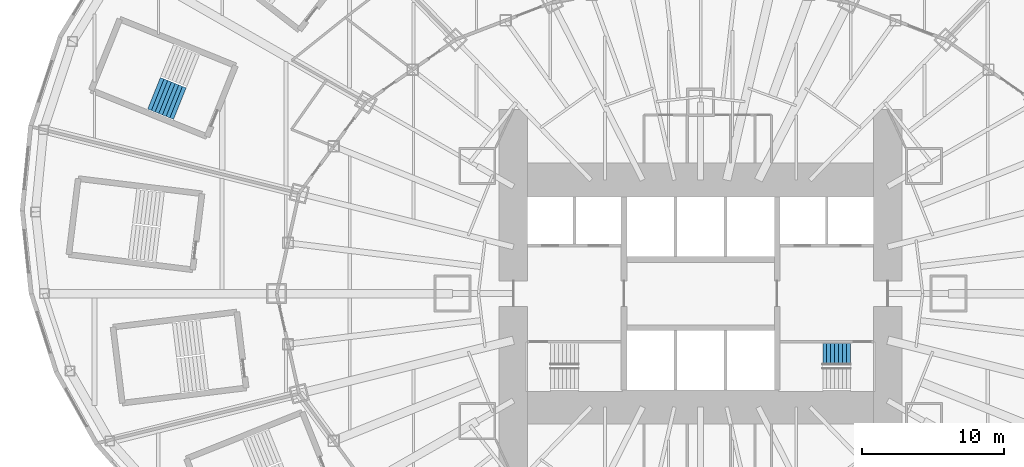
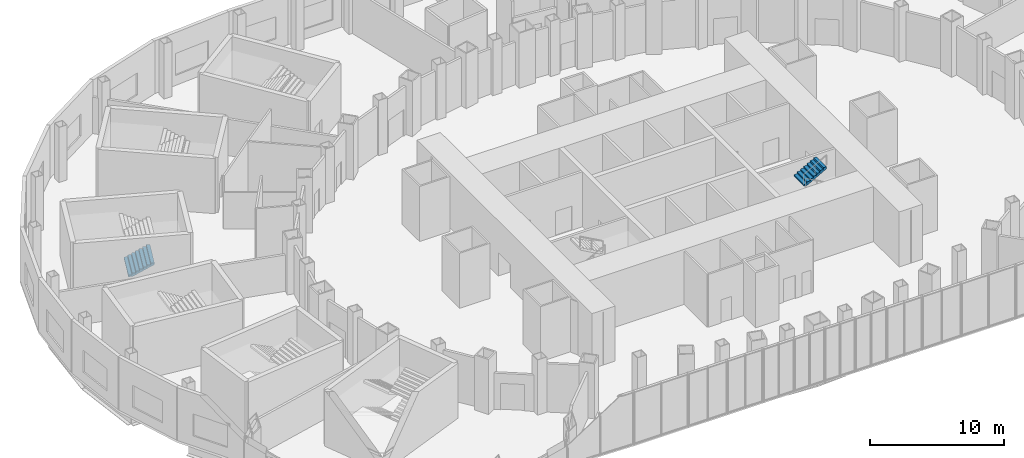
# One storey, part 33 of 73: 2 stair flights, 2 elements without a shape of their own.
"""IFC4 building model written with IfcOpenShell, lengths in metres."""

from ifc_helpers import new_model, si_unit, direction, frame, origin, place, context, subcontext, project, spatial, triangles, material, type_object, element, aggregate, save


model = new_model("IFC4")

# Units and contexts
model_context = context("Model", 3, precision=1e-05, world=origin(), true_north=direction((0.0, 1.0)))
body_context = subcontext(model_context, "Body", "Model", "MODEL_VIEW")
ifc_project = project(units=[si_unit("LENGTHUNIT", "METRE"), si_unit("AREAUNIT", "SQUARE_METRE"), si_unit("VOLUMEUNIT", "CUBIC_METRE"), si_unit("PLANEANGLEUNIT", "RADIAN"), si_unit("MASSUNIT", "GRAM", prefix="KILO")], contexts=[model_context])

# Site, building, storey
site_placement = place(None, origin())
site = spatial("IfcSite", under=ifc_project, at=site_placement, CompositionType="ELEMENT")
building_placement = place(site_placement, origin())
building = spatial("IfcBuilding", under=site, at=building_placement, Name="Lantaw Convention Tower", CompositionType="ELEMENT")
storey_placement = place(building_placement, frame((0.0, 0.0, 22.0)))
storey = spatial("IfcBuildingStorey", under=building, at=storey_placement, Name="L03", CompositionType="ELEMENT", Elevation=22.0)

# Stair, stair flight
ifc_material = material(Name="Concrete C35/45", Category="concrete")
stair_type_1 = type_object("IfcStairType", Name="Exit stair 1500 riser 156.25 in 4 flights", PredefinedType="HALF_TURN_STAIR", material=ifc_material)
stair_1_placement = place(storey_placement, origin())
stair_1 = element("IfcStair", 1, at=stair_1_placement, inside=storey, type_object=stair_type_1, Name="Exit stair S2 L03", PredefinedType="HALF_TURN_STAIR")
stair_flight_type_1 = type_object("IfcStairFlightType", Name="Stair flight 1500 riser 156.25", PredefinedType="STRAIGHT", material=ifc_material)
stair_flight_1_placement = place(storey_placement, frame((8.6201171875, -4.280029296875, 3.75), z_axis=(0.0, 0.0, 1.0), x_axis=(1.0, 0.0, 0.0)))
stair_flight_1 = element("IfcStairFlight", 2, at=stair_flight_1_placement, type_object=stair_flight_type_1, Name="S2 flight 4", NumberOfRisers=8, NumberOfTreads=7, PredefinedType="STRAIGHT", RiserHeight=0.15625, TreadLength=0.28, context=body_context, shape_type="Tessellation", body=[
    triangles([(0.0, 0.75, 0.0), (0.0, 0.75, 0.15625), (0.28, 0.75, 0.0), (0.28, 0.75, 0.15625), (0.28, 0.75, 0.3125), (0.3076200632058044, 0.75, 0.0), (0.3076200632058044, 0.75, 0.3125), (0.56, 0.75, 0.14083701830033238), (0.56, 0.75, 0.3125), (0.56, 0.75, 0.46875), (0.8400000000000001, 0.75, 0.29708701830033235), (0.8400000000000001, 0.75, 0.46875), (0.8400000000000001, 0.75, 0.625), (1.12, 0.75, 0.45333701830033235), (1.12, 0.75, 0.625), (1.12, 0.75, 0.78125), (1.4000000000000001, 0.75, 0.6095870183003324), (1.4000000000000001, 0.75, 0.78125), (1.4000000000000001, 0.75, 0.9375), (1.6800000000000002, 0.75, 0.7658370183003324), (1.6800000000000002, 0.75, 0.9375), (1.6800000000000002, 0.75, 1.09375), (1.9600000000000002, 0.75, 0.9220870183003324), (1.9600000000000002, 0.75, 1.09375), (0.0, -0.75, 0.0), (0.0, -0.75, 0.15625), (0.28, -0.75, 0.0), (0.28, -0.75, 0.15625), (0.28, -0.75, 0.3125), (0.3076200632058044, -0.75, 0.0), (0.3076200632058044, -0.75, 0.3125), (0.56, -0.75, 0.14083701830033238), (0.56, -0.75, 0.3125), (0.56, -0.75, 0.46875), (0.8400000000000001, -0.75, 0.29708701830033235), (0.8400000000000001, -0.75, 0.46875), (0.8400000000000001, -0.75, 0.625), (1.12, -0.75, 0.45333701830033235), (1.12, -0.75, 0.625), (1.12, -0.75, 0.78125), (1.4000000000000001, -0.75, 0.6095870183003324), (1.4000000000000001, -0.75, 0.78125), (1.4000000000000001, -0.75, 0.9375), (1.6800000000000002, -0.75, 0.7658370183003324), (1.6800000000000002, -0.75, 0.9375), (1.6800000000000002, -0.75, 1.09375), (1.9600000000000002, -0.75, 0.9220870183003324), (1.9600000000000002, -0.75, 1.09375), (0.0, 0.15000000000000002, 0.15625), (0.0, 0.15000000000000002, 0.0), (0.0, 0.0, 0.15625), (0.0, 0.0, 0.0), (0.0, -0.15000000000000002, 0.15625), (0.0, -0.15000000000000002, 0.0), (0.28, 0.15000000000000002, 0.3125), (0.28, 0.15000000000000002, 0.15625), (0.28, 0.0, 0.3125), (0.28, 0.0, 0.15625), (0.28, -0.15000000000000002, 0.3125), (0.28, -0.15000000000000002, 0.15625), (0.56, 0.15000000000000002, 0.46875), (0.56, 0.15000000000000002, 0.3125), (0.56, 0.0, 0.46875), (0.56, 0.0, 0.3125), (0.56, -0.15000000000000002, 0.46875), (0.56, -0.15000000000000002, 0.3125), (0.8400000000000001, 0.15000000000000002, 0.625), (0.8400000000000001, 0.15000000000000002, 0.46875), (0.8400000000000001, 0.0, 0.625), (0.8400000000000001, 0.0, 0.46875), (0.8400000000000001, -0.15000000000000002, 0.625), (0.8400000000000001, -0.15000000000000002, 0.46875), (1.12, 0.15000000000000002, 0.78125), (1.12, 0.15000000000000002, 0.625), (1.12, 0.0, 0.78125), (1.12, 0.0, 0.625), (1.12, -0.15000000000000002, 0.78125), (1.12, -0.15000000000000002, 0.625), (1.4000000000000001, 0.15000000000000002, 0.9375), (1.4000000000000001, 0.15000000000000002, 0.78125), (1.4000000000000001, 0.0, 0.9375), (1.4000000000000001, 0.0, 0.78125), (1.4000000000000001, -0.15000000000000002, 0.9375), (1.4000000000000001, -0.15000000000000002, 0.78125), (1.6800000000000002, 0.15000000000000002, 1.09375), (1.6800000000000002, 0.15000000000000002, 0.9375), (1.6800000000000002, 0.0, 1.09375), (1.6800000000000002, 0.0, 0.9375), (1.6800000000000002, -0.15000000000000002, 1.09375), (1.6800000000000002, -0.15000000000000002, 0.9375), (0.3076200632058044, 0.15000000000000002, 0.3125), (0.3076200632058044, 0.0, 0.3125), (0.3076200632058044, -0.15000000000000002, 0.3125), (1.9600000000000002, 0.15000000000000002, 1.09375), (1.9600000000000002, 0.0, 1.09375), (1.9600000000000002, -0.15000000000000002, 1.09375), (1.9600000000000002, 0.15000000000000002, 0.9220870183003324), (1.9600000000000002, 0.0, 0.9220870183003324), (1.9600000000000002, -0.15000000000000002, 0.9220870183003324), (1.6800000000000002, 0.15000000000000002, 0.7658370183003324), (1.6800000000000002, 0.0, 0.7658370183003324), (1.6800000000000002, -0.15000000000000002, 0.7658370183003324), (1.4000000000000001, 0.15000000000000002, 0.6095870183003324), (1.4000000000000001, 0.0, 0.6095870183003324), (1.4000000000000001, -0.15000000000000002, 0.6095870183003324), (1.12, 0.15000000000000002, 0.45333701830033235), (1.12, 0.0, 0.45333701830033235), (1.12, -0.15000000000000002, 0.45333701830033235), (0.8400000000000001, 0.15000000000000002, 0.29708701830033235), (0.8400000000000001, 0.0, 0.29708701830033235), (0.8400000000000001, -0.15000000000000002, 0.29708701830033235), (0.56, 0.15000000000000002, 0.14083701830033238), (0.56, 0.0, 0.14083701830033238), (0.56, -0.15000000000000002, 0.14083701830033238), (0.3076200632058044, 0.15000000000000002, 0.0), (0.3076200632058044, 0.0, 0.0), (0.3076200632058044, -0.15000000000000002, 0.0), (0.28, 0.15000000000000002, 0.0), (0.28, 0.0, 0.0), (0.28, -0.15000000000000002, 0.0)], [[1, 4, 3], [1, 2, 4], [3, 4, 6], [4, 7, 6], [4, 5, 7], [6, 9, 8], [6, 7, 9], [8, 9, 11], [9, 12, 11], [9, 10, 12], [11, 12, 14], [12, 15, 14], [12, 13, 15], [14, 15, 17], [15, 18, 17], [15, 16, 18], [17, 18, 20], [18, 21, 20], [18, 19, 21], [20, 21, 23], [21, 24, 23], [21, 22, 24], [25, 27, 28], [25, 28, 26], [27, 30, 28], [28, 30, 31], [28, 31, 29], [30, 32, 33], [30, 33, 31], [32, 35, 33], [33, 35, 36], [33, 36, 34], [35, 38, 36], [36, 38, 39], [36, 39, 37], [38, 41, 39], [39, 41, 42], [39, 42, 40], [41, 44, 42], [42, 44, 45], [42, 45, 43], [44, 47, 45], [45, 47, 48], [45, 48, 46], [1, 49, 2], [1, 50, 49], [50, 51, 49], [50, 52, 51], [52, 53, 51], [52, 54, 53], [54, 26, 53], [54, 25, 26], [4, 55, 5], [4, 56, 55], [56, 57, 55], [56, 58, 57], [58, 59, 57], [58, 60, 59], [60, 29, 59], [60, 28, 29], [9, 61, 10], [9, 62, 61], [62, 63, 61], [62, 64, 63], [64, 65, 63], [64, 66, 65], [66, 34, 65], [66, 33, 34], [12, 67, 13], [12, 68, 67], [68, 69, 67], [68, 70, 69], [70, 71, 69], [70, 72, 71], [72, 37, 71], [72, 36, 37], [15, 73, 16], [15, 74, 73], [74, 75, 73], [74, 76, 75], [76, 77, 75], [76, 78, 77], [78, 40, 77], [78, 39, 40], [18, 79, 19], [18, 80, 79], [80, 81, 79], [80, 82, 81], [82, 83, 81], [82, 84, 83], [84, 43, 83], [84, 42, 43], [21, 85, 22], [21, 86, 85], [86, 87, 85], [86, 88, 87], [88, 89, 87], [88, 90, 89], [90, 46, 89], [90, 45, 46], [2, 56, 4], [2, 49, 56], [49, 58, 56], [49, 51, 58], [51, 60, 58], [51, 53, 60], [53, 28, 60], [53, 26, 28], [5, 91, 7], [5, 55, 91], [55, 92, 91], [55, 57, 92], [57, 93, 92], [57, 59, 93], [59, 31, 93], [59, 29, 31], [7, 62, 9], [7, 91, 62], [91, 64, 62], [91, 92, 64], [92, 66, 64], [92, 93, 66], [93, 33, 66], [93, 31, 33], [10, 68, 12], [10, 61, 68], [61, 70, 68], [61, 63, 70], [63, 72, 70], [63, 65, 72], [65, 36, 72], [65, 34, 36], [13, 74, 15], [13, 67, 74], [67, 76, 74], [67, 69, 76], [69, 78, 76], [69, 71, 78], [71, 39, 78], [71, 37, 39], [16, 80, 18], [16, 73, 80], [73, 82, 80], [73, 75, 82], [75, 84, 82], [75, 77, 84], [77, 42, 84], [77, 40, 42], [19, 86, 21], [19, 79, 86], [79, 88, 86], [79, 81, 88], [81, 90, 88], [81, 83, 90], [83, 45, 90], [83, 43, 45], [22, 94, 24], [22, 85, 94], [85, 95, 94], [85, 87, 95], [87, 96, 95], [87, 89, 96], [89, 48, 96], [89, 46, 48], [24, 97, 23], [24, 94, 97], [94, 98, 97], [94, 95, 98], [95, 99, 98], [95, 96, 99], [96, 47, 99], [96, 48, 47], [23, 100, 20], [23, 97, 100], [97, 101, 100], [97, 98, 101], [98, 102, 101], [98, 99, 102], [99, 44, 102], [99, 47, 44], [20, 103, 17], [20, 100, 103], [100, 104, 103], [100, 101, 104], [101, 105, 104], [101, 102, 105], [102, 41, 105], [102, 44, 41], [17, 106, 14], [17, 103, 106], [103, 107, 106], [103, 104, 107], [104, 108, 107], [104, 105, 108], [105, 38, 108], [105, 41, 38], [14, 109, 11], [14, 106, 109], [106, 110, 109], [106, 107, 110], [107, 111, 110], [107, 108, 111], [108, 35, 111], [108, 38, 35], [11, 112, 8], [11, 109, 112], [109, 113, 112], [109, 110, 113], [110, 114, 113], [110, 111, 114], [111, 32, 114], [111, 35, 32], [8, 115, 6], [8, 112, 115], [112, 116, 115], [112, 113, 116], [113, 117, 116], [113, 114, 117], [114, 30, 117], [114, 32, 30], [6, 118, 3], [6, 115, 118], [115, 119, 118], [115, 116, 119], [116, 120, 119], [116, 117, 120], [117, 27, 120], [117, 30, 27], [3, 50, 1], [3, 118, 50], [118, 52, 50], [118, 119, 52], [119, 54, 52], [119, 120, 54], [120, 25, 54], [120, 27, 25]], closed=True),
])
aggregate(stair_1, [stair_flight_1])

stair_type_2 = type_object("IfcStairType", Name="Exit stair 2400 riser 156.25 in 4 flights", PredefinedType="HALF_TURN_STAIR", material=ifc_material)
stair_2_placement = place(storey_placement, origin())
stair_2 = element("IfcStair", 3, at=stair_2_placement, inside=storey, type_object=stair_type_2, Name="Podium exit stair P8 L03", PredefinedType="HALF_TURN_STAIR")
stair_flight_type_2 = type_object("IfcStairFlightType", Name="Stair flight 2400 riser 156.25", PredefinedType="STRAIGHT", material=ifc_material)
stair_flight_2_placement = place(storey_placement, frame((-38.5498046875, 14.12841796875, 1.25), z_axis=(0.0, 0.0, 1.0), x_axis=(0.928015168305, -0.372542410198, 0.0)))
stair_flight_2 = element("IfcStairFlight", 4, at=stair_flight_2_placement, type_object=stair_flight_type_2, Name="P8 flight 2", NumberOfRisers=8, NumberOfTreads=7, PredefinedType="STRAIGHT", RiserHeight=0.15625, TreadLength=0.28, context=body_context, shape_type="Tessellation", body=[
    triangles([(0.0, 1.199951171875, 0.0), (0.0, 1.199951171875, 0.15625), (0.28, 1.199951171875, 0.0), (0.28, 1.199951171875, 0.15625), (0.28, 1.199951171875, 0.3125), (0.3076200632058044, 1.199951171875, 0.0), (0.3076200632058044, 1.199951171875, 0.3125), (0.56, 1.199951171875, 0.14083701830033238), (0.56, 1.199951171875, 0.3125), (0.56, 1.199951171875, 0.46875), (0.8400000000000001, 1.199951171875, 0.29708701830033235), (0.8400000000000001, 1.199951171875, 0.46875), (0.8400000000000001, 1.199951171875, 0.625), (1.12, 1.199951171875, 0.45333701830033235), (1.12, 1.199951171875, 0.625), (1.12, 1.199951171875, 0.78125), (1.4000000000000001, 1.199951171875, 0.6095870183003324), (1.4000000000000001, 1.199951171875, 0.78125), (1.4000000000000001, 1.199951171875, 0.9375), (1.6800000000000002, 1.199951171875, 0.7658370183003324), (1.6800000000000002, 1.199951171875, 0.9375), (1.6800000000000002, 1.199951171875, 1.09375), (1.9600000000000002, 1.199951171875, 0.9220870183003324), (1.9600000000000002, 1.199951171875, 1.09375), (0.0, -1.199951171875, 0.0), (0.0, -1.199951171875, 0.15625), (0.28, -1.199951171875, 0.0), (0.28, -1.199951171875, 0.15625), (0.28, -1.199951171875, 0.3125), (0.3076200632058044, -1.199951171875, 0.0), (0.3076200632058044, -1.199951171875, 0.3125), (0.56, -1.199951171875, 0.14083701830033238), (0.56, -1.199951171875, 0.3125), (0.56, -1.199951171875, 0.46875), (0.8400000000000001, -1.199951171875, 0.29708701830033235), (0.8400000000000001, -1.199951171875, 0.46875), (0.8400000000000001, -1.199951171875, 0.625), (1.12, -1.199951171875, 0.45333701830033235), (1.12, -1.199951171875, 0.625), (1.12, -1.199951171875, 0.78125), (1.4000000000000001, -1.199951171875, 0.6095870183003324), (1.4000000000000001, -1.199951171875, 0.78125), (1.4000000000000001, -1.199951171875, 0.9375), (1.6800000000000002, -1.199951171875, 0.7658370183003324), (1.6800000000000002, -1.199951171875, 0.9375), (1.6800000000000002, -1.199951171875, 1.09375), (1.9600000000000002, -1.199951171875, 0.9220870183003324), (1.9600000000000002, -1.199951171875, 1.09375), (0.0, 0.239990234375, 0.15625), (0.0, 0.239990234375, 0.0), (0.0, 0.1919921875, 0.15625), (0.0, 0.1919921875, 0.0), (0.0, 0.143994140625, 0.15625), (0.0, 0.143994140625, 0.0), (0.0, 0.09599609375, 0.15625), (0.0, 0.09599609375, 0.0), (0.0, 0.047998046875, 0.15625), (0.0, 0.047998046875, 0.0), (0.0, 0.0, 0.15625), (0.0, 0.0, 0.0), (0.0, -0.047998046875, 0.15625), (0.0, -0.047998046875, 0.0), (0.0, -0.09599609375, 0.15625), (0.0, -0.09599609375, 0.0), (0.0, -0.143994140625, 0.15625), (0.0, -0.143994140625, 0.0), (0.0, -0.1919921875, 0.15625), (0.0, -0.1919921875, 0.0), (0.0, -0.239990234375, 0.15625), (0.0, -0.239990234375, 0.0), (0.28, 0.239990234375, 0.3125), (0.28, 0.239990234375, 0.15625), (0.28, 0.1919921875, 0.3125), (0.28, 0.1919921875, 0.15625), (0.28, 0.143994140625, 0.3125), (0.28, 0.143994140625, 0.15625), (0.28, 0.09599609375, 0.3125), (0.28, 0.09599609375, 0.15625), (0.28, 0.047998046875, 0.3125), (0.28, 0.047998046875, 0.15625), (0.28, 0.0, 0.3125), (0.28, 0.0, 0.15625), (0.28, -0.047998046875, 0.3125), (0.28, -0.047998046875, 0.15625), (0.28, -0.09599609375, 0.3125), (0.28, -0.09599609375, 0.15625), (0.28, -0.143994140625, 0.3125), (0.28, -0.143994140625, 0.15625), (0.28, -0.1919921875, 0.3125), (0.28, -0.1919921875, 0.15625), (0.28, -0.239990234375, 0.3125), (0.28, -0.239990234375, 0.15625), (0.56, 0.239990234375, 0.46875), (0.56, 0.239990234375, 0.3125), (0.56, 0.1919921875, 0.46875), (0.56, 0.1919921875, 0.3125), (0.56, 0.143994140625, 0.46875), (0.56, 0.143994140625, 0.3125), (0.56, 0.09599609375, 0.46875), (0.56, 0.09599609375, 0.3125), (0.56, 0.047998046875, 0.46875), (0.56, 0.047998046875, 0.3125), (0.56, 0.0, 0.46875), (0.56, 0.0, 0.3125), (0.56, -0.047998046875, 0.46875), (0.56, -0.047998046875, 0.3125), (0.56, -0.09599609375, 0.46875), (0.56, -0.09599609375, 0.3125), (0.56, -0.143994140625, 0.46875), (0.56, -0.143994140625, 0.3125), (0.56, -0.1919921875, 0.46875), (0.56, -0.1919921875, 0.3125), (0.56, -0.239990234375, 0.46875), (0.56, -0.239990234375, 0.3125), (0.8400000000000001, 0.239990234375, 0.625), (0.8400000000000001, 0.239990234375, 0.46875), (0.8400000000000001, 0.1919921875, 0.625), (0.8400000000000001, 0.1919921875, 0.46875), (0.8400000000000001, 0.143994140625, 0.625), (0.8400000000000001, 0.143994140625, 0.46875), (0.8400000000000001, 0.09599609375, 0.625), (0.8400000000000001, 0.09599609375, 0.46875), (0.8400000000000001, 0.047998046875, 0.625), (0.8400000000000001, 0.047998046875, 0.46875), (0.8400000000000001, 0.0, 0.625), (0.8400000000000001, 0.0, 0.46875), (0.8400000000000001, -0.047998046875, 0.625), (0.8400000000000001, -0.047998046875, 0.46875), (0.8400000000000001, -0.09599609375, 0.625), (0.8400000000000001, -0.09599609375, 0.46875), (0.8400000000000001, -0.143994140625, 0.625), (0.8400000000000001, -0.143994140625, 0.46875), (0.8400000000000001, -0.1919921875, 0.625), (0.8400000000000001, -0.1919921875, 0.46875), (0.8400000000000001, -0.239990234375, 0.625), (0.8400000000000001, -0.239990234375, 0.46875), (1.12, 0.239990234375, 0.78125), (1.12, 0.239990234375, 0.625), (1.12, 0.1919921875, 0.78125), (1.12, 0.1919921875, 0.625), (1.12, 0.143994140625, 0.78125), (1.12, 0.143994140625, 0.625), (1.12, 0.09599609375, 0.78125), (1.12, 0.09599609375, 0.625), (1.12, 0.047998046875, 0.78125), (1.12, 0.047998046875, 0.625), (1.12, 0.0, 0.78125), (1.12, 0.0, 0.625), (1.12, -0.047998046875, 0.78125), (1.12, -0.047998046875, 0.625), (1.12, -0.09599609375, 0.78125), (1.12, -0.09599609375, 0.625), (1.12, -0.143994140625, 0.78125), (1.12, -0.143994140625, 0.625), (1.12, -0.1919921875, 0.78125), (1.12, -0.1919921875, 0.625), (1.12, -0.239990234375, 0.78125), (1.12, -0.239990234375, 0.625), (1.4000000000000001, 0.239990234375, 0.9375), (1.4000000000000001, 0.239990234375, 0.78125), (1.4000000000000001, 0.1919921875, 0.9375), (1.4000000000000001, 0.1919921875, 0.78125), (1.4000000000000001, 0.143994140625, 0.9375), (1.4000000000000001, 0.143994140625, 0.78125), (1.4000000000000001, 0.09599609375, 0.9375), (1.4000000000000001, 0.09599609375, 0.78125), (1.4000000000000001, 0.047998046875, 0.9375), (1.4000000000000001, 0.047998046875, 0.78125), (1.4000000000000001, 0.0, 0.9375), (1.4000000000000001, 0.0, 0.78125), (1.4000000000000001, -0.047998046875, 0.9375), (1.4000000000000001, -0.047998046875, 0.78125), (1.4000000000000001, -0.09599609375, 0.9375), (1.4000000000000001, -0.09599609375, 0.78125), (1.4000000000000001, -0.143994140625, 0.9375), (1.4000000000000001, -0.143994140625, 0.78125), (1.4000000000000001, -0.1919921875, 0.9375), (1.4000000000000001, -0.1919921875, 0.78125), (1.4000000000000001, -0.239990234375, 0.9375), (1.4000000000000001, -0.239990234375, 0.78125), (1.6800000000000002, 0.239990234375, 1.09375), (1.6800000000000002, 0.239990234375, 0.9375), (1.6800000000000002, 0.1919921875, 1.09375), (1.6800000000000002, 0.1919921875, 0.9375), (1.6800000000000002, 0.143994140625, 1.09375), (1.6800000000000002, 0.143994140625, 0.9375), (1.6800000000000002, 0.09599609375, 1.09375), (1.6800000000000002, 0.09599609375, 0.9375), (1.6800000000000002, 0.047998046875, 1.09375), (1.6800000000000002, 0.047998046875, 0.9375), (1.6800000000000002, 0.0, 1.09375), (1.6800000000000002, 0.0, 0.9375), (1.6800000000000002, -0.047998046875, 1.09375), (1.6800000000000002, -0.047998046875, 0.9375), (1.6800000000000002, -0.09599609375, 1.09375), (1.6800000000000002, -0.09599609375, 0.9375), (1.6800000000000002, -0.143994140625, 1.09375), (1.6800000000000002, -0.143994140625, 0.9375), (1.6800000000000002, -0.1919921875, 1.09375), (1.6800000000000002, -0.1919921875, 0.9375), (1.6800000000000002, -0.239990234375, 1.09375), (1.6800000000000002, -0.239990234375, 0.9375), (0.3076200632058044, 0.239990234375, 0.3125), (0.3076200632058044, 0.1919921875, 0.3125), (0.3076200632058044, 0.143994140625, 0.3125), (0.3076200632058044, 0.09599609375, 0.3125), (0.3076200632058044, 0.047998046875, 0.3125), (0.3076200632058044, 0.0, 0.3125), (0.3076200632058044, -0.047998046875, 0.3125), (0.3076200632058044, -0.09599609375, 0.3125), (0.3076200632058044, -0.143994140625, 0.3125), (0.3076200632058044, -0.1919921875, 0.3125), (0.3076200632058044, -0.239990234375, 0.3125), (1.9600000000000002, 0.239990234375, 1.09375), (1.9600000000000002, 0.1919921875, 1.09375), (1.9600000000000002, 0.143994140625, 1.09375), (1.9600000000000002, 0.09599609375, 1.09375), (1.9600000000000002, 0.047998046875, 1.09375), (1.9600000000000002, 0.0, 1.09375), (1.9600000000000002, -0.047998046875, 1.09375), (1.9600000000000002, -0.09599609375, 1.09375), (1.9600000000000002, -0.143994140625, 1.09375), (1.9600000000000002, -0.1919921875, 1.09375), (1.9600000000000002, -0.239990234375, 1.09375), (1.9600000000000002, 0.239990234375, 0.9220870183003324), (1.9600000000000002, 0.1919921875, 0.9220870183003324), (1.9600000000000002, 0.143994140625, 0.9220870183003324), (1.9600000000000002, 0.09599609375, 0.9220870183003324), (1.9600000000000002, 0.047998046875, 0.9220870183003324), (1.9600000000000002, 0.0, 0.9220870183003324), (1.9600000000000002, -0.047998046875, 0.9220870183003324), (1.9600000000000002, -0.09599609375, 0.9220870183003324), (1.9600000000000002, -0.143994140625, 0.9220870183003324), (1.9600000000000002, -0.1919921875, 0.9220870183003324), (1.9600000000000002, -0.239990234375, 0.9220870183003324), (1.6800000000000002, 0.239990234375, 0.7658370183003324), (1.6800000000000002, 0.1919921875, 0.7658370183003324), (1.6800000000000002, 0.143994140625, 0.7658370183003324), (1.6800000000000002, 0.09599609375, 0.7658370183003324), (1.6800000000000002, 0.047998046875, 0.7658370183003324), (1.6800000000000002, 0.0, 0.7658370183003324), (1.6800000000000002, -0.047998046875, 0.7658370183003324), (1.6800000000000002, -0.09599609375, 0.7658370183003324), (1.6800000000000002, -0.143994140625, 0.7658370183003324), (1.6800000000000002, -0.1919921875, 0.7658370183003324), (1.6800000000000002, -0.239990234375, 0.7658370183003324), (1.4000000000000001, 0.239990234375, 0.6095870183003324), (1.4000000000000001, 0.1919921875, 0.6095870183003324), (1.4000000000000001, 0.143994140625, 0.6095870183003324), (1.4000000000000001, 0.09599609375, 0.6095870183003324), (1.4000000000000001, 0.047998046875, 0.6095870183003324), (1.4000000000000001, 0.0, 0.6095870183003324), (1.4000000000000001, -0.047998046875, 0.6095870183003324), (1.4000000000000001, -0.09599609375, 0.6095870183003324), (1.4000000000000001, -0.143994140625, 0.6095870183003324), (1.4000000000000001, -0.1919921875, 0.6095870183003324), (1.4000000000000001, -0.239990234375, 0.6095870183003324), (1.12, 0.239990234375, 0.45333701830033235), (1.12, 0.1919921875, 0.45333701830033235), (1.12, 0.143994140625, 0.45333701830033235), (1.12, 0.09599609375, 0.45333701830033235), (1.12, 0.047998046875, 0.45333701830033235), (1.12, 0.0, 0.45333701830033235), (1.12, -0.047998046875, 0.45333701830033235), (1.12, -0.09599609375, 0.45333701830033235), (1.12, -0.143994140625, 0.45333701830033235), (1.12, -0.1919921875, 0.45333701830033235), (1.12, -0.239990234375, 0.45333701830033235), (0.8400000000000001, 0.239990234375, 0.29708701830033235), (0.8400000000000001, 0.1919921875, 0.29708701830033235), (0.8400000000000001, 0.143994140625, 0.29708701830033235), (0.8400000000000001, 0.09599609375, 0.29708701830033235), (0.8400000000000001, 0.047998046875, 0.29708701830033235), (0.8400000000000001, 0.0, 0.29708701830033235), (0.8400000000000001, -0.047998046875, 0.29708701830033235), (0.8400000000000001, -0.09599609375, 0.29708701830033235), (0.8400000000000001, -0.143994140625, 0.29708701830033235), (0.8400000000000001, -0.1919921875, 0.29708701830033235), (0.8400000000000001, -0.239990234375, 0.29708701830033235), (0.56, 0.239990234375, 0.14083701830033238), (0.56, 0.1919921875, 0.14083701830033238), (0.56, 0.143994140625, 0.14083701830033238), (0.56, 0.09599609375, 0.14083701830033238), (0.56, 0.047998046875, 0.14083701830033238), (0.56, 0.0, 0.14083701830033238), (0.56, -0.047998046875, 0.14083701830033238), (0.56, -0.09599609375, 0.14083701830033238), (0.56, -0.143994140625, 0.14083701830033238), (0.56, -0.1919921875, 0.14083701830033238), (0.56, -0.239990234375, 0.14083701830033238), (0.3076200632058044, 0.239990234375, 0.0), (0.3076200632058044, 0.1919921875, 0.0), (0.3076200632058044, 0.143994140625, 0.0), (0.3076200632058044, 0.09599609375, 0.0), (0.3076200632058044, 0.047998046875, 0.0), (0.3076200632058044, 0.0, 0.0), (0.3076200632058044, -0.047998046875, 0.0), (0.3076200632058044, -0.09599609375, 0.0), (0.3076200632058044, -0.143994140625, 0.0), (0.3076200632058044, -0.1919921875, 0.0), (0.3076200632058044, -0.239990234375, 0.0), (0.28, 0.239990234375, 0.0), (0.28, 0.1919921875, 0.0), (0.28, 0.143994140625, 0.0), (0.28, 0.09599609375, 0.0), (0.28, 0.047998046875, 0.0), (0.28, 0.0, 0.0), (0.28, -0.047998046875, 0.0), (0.28, -0.09599609375, 0.0), (0.28, -0.143994140625, 0.0), (0.28, -0.1919921875, 0.0), (0.28, -0.239990234375, 0.0)], [[1, 4, 3], [1, 2, 4], [3, 4, 6], [4, 7, 6], [4, 5, 7], [6, 9, 8], [6, 7, 9], [8, 9, 11], [9, 12, 11], [9, 10, 12], [11, 12, 14], [12, 15, 14], [12, 13, 15], [14, 15, 17], [15, 18, 17], [15, 16, 18], [17, 18, 20], [18, 21, 20], [18, 19, 21], [20, 21, 23], [21, 24, 23], [21, 22, 24], [25, 27, 28], [25, 28, 26], [27, 30, 28], [28, 30, 31], [28, 31, 29], [30, 32, 33], [30, 33, 31], [32, 35, 33], [33, 35, 36], [33, 36, 34], [35, 38, 36], [36, 38, 39], [36, 39, 37], [38, 41, 39], [39, 41, 42], [39, 42, 40], [41, 44, 42], [42, 44, 45], [42, 45, 43], [44, 47, 45], [45, 47, 48], [45, 48, 46], [1, 49, 2], [1, 50, 49], [50, 51, 49], [50, 52, 51], [52, 53, 51], [52, 54, 53], [54, 55, 53], [54, 56, 55], [56, 57, 55], [56, 58, 57], [58, 59, 57], [58, 60, 59], [60, 61, 59], [60, 62, 61], [62, 63, 61], [62, 64, 63], [64, 65, 63], [64, 66, 65], [66, 67, 65], [66, 68, 67], [68, 69, 67], [68, 70, 69], [70, 26, 69], [70, 25, 26], [4, 71, 5], [4, 72, 71], [72, 73, 71], [72, 74, 73], [74, 75, 73], [74, 76, 75], [76, 77, 75], [76, 78, 77], [78, 79, 77], [78, 80, 79], [80, 81, 79], [80, 82, 81], [82, 83, 81], [82, 84, 83], [84, 85, 83], [84, 86, 85], [86, 87, 85], [86, 88, 87], [88, 89, 87], [88, 90, 89], [90, 91, 89], [90, 92, 91], [92, 29, 91], [92, 28, 29], [9, 93, 10], [9, 94, 93], [94, 95, 93], [94, 96, 95], [96, 97, 95], [96, 98, 97], [98, 99, 97], [98, 100, 99], [100, 101, 99], [100, 102, 101], [102, 103, 101], [102, 104, 103], [104, 105, 103], [104, 106, 105], [106, 107, 105], [106, 108, 107], [108, 109, 107], [108, 110, 109], [110, 111, 109], [110, 112, 111], [112, 113, 111], [112, 114, 113], [114, 34, 113], [114, 33, 34], [12, 115, 13], [12, 116, 115], [116, 117, 115], [116, 118, 117], [118, 119, 117], [118, 120, 119], [120, 121, 119], [120, 122, 121], [122, 123, 121], [122, 124, 123], [124, 125, 123], [124, 126, 125], [126, 127, 125], [126, 128, 127], [128, 129, 127], [128, 130, 129], [130, 131, 129], [130, 132, 131], [132, 133, 131], [132, 134, 133], [134, 135, 133], [134, 136, 135], [136, 37, 135], [136, 36, 37], [15, 137, 16], [15, 138, 137], [138, 139, 137], [138, 140, 139], [140, 141, 139], [140, 142, 141], [142, 143, 141], [142, 144, 143], [144, 145, 143], [144, 146, 145], [146, 147, 145], [146, 148, 147], [148, 149, 147], [148, 150, 149], [150, 151, 149], [150, 152, 151], [152, 153, 151], [152, 154, 153], [154, 155, 153], [154, 156, 155], [156, 157, 155], [156, 158, 157], [158, 40, 157], [158, 39, 40], [18, 159, 19], [18, 160, 159], [160, 161, 159], [160, 162, 161], [162, 163, 161], [162, 164, 163], [164, 165, 163], [164, 166, 165], [166, 167, 165], [166, 168, 167], [168, 169, 167], [168, 170, 169], [170, 171, 169], [170, 172, 171], [172, 173, 171], [172, 174, 173], [174, 175, 173], [174, 176, 175], [176, 177, 175], [176, 178, 177], [178, 179, 177], [178, 180, 179], [180, 43, 179], [180, 42, 43], [21, 181, 22], [21, 182, 181], [182, 183, 181], [182, 184, 183], [184, 185, 183], [184, 186, 185], [186, 187, 185], [186, 188, 187], [188, 189, 187], [188, 190, 189], [190, 191, 189], [190, 192, 191], [192, 193, 191], [192, 194, 193], [194, 195, 193], [194, 196, 195], [196, 197, 195], [196, 198, 197], [198, 199, 197], [198, 200, 199], [200, 201, 199], [200, 202, 201], [202, 46, 201], [202, 45, 46], [2, 72, 4], [2, 49, 72], [49, 74, 72], [49, 51, 74], [51, 76, 74], [51, 53, 76], [53, 78, 76], [53, 55, 78], [55, 80, 78], [55, 57, 80], [57, 82, 80], [57, 59, 82], [59, 84, 82], [59, 61, 84], [61, 86, 84], [61, 63, 86], [63, 88, 86], [63, 65, 88], [65, 90, 88], [65, 67, 90], [67, 92, 90], [67, 69, 92], [69, 28, 92], [69, 26, 28], [5, 203, 7], [5, 71, 203], [71, 204, 203], [71, 73, 204], [73, 205, 204], [73, 75, 205], [75, 206, 205], [75, 77, 206], [77, 207, 206], [77, 79, 207], [79, 208, 207], [79, 81, 208], [81, 209, 208], [81, 83, 209], [83, 210, 209], [83, 85, 210], [85, 211, 210], [85, 87, 211], [87, 212, 211], [87, 89, 212], [89, 213, 212], [89, 91, 213], [91, 31, 213], [91, 29, 31], [7, 94, 9], [7, 203, 94], [203, 96, 94], [203, 204, 96], [204, 98, 96], [204, 205, 98], [205, 100, 98], [205, 206, 100], [206, 102, 100], [206, 207, 102], [207, 104, 102], [207, 208, 104], [208, 106, 104], [208, 209, 106], [209, 108, 106], [209, 210, 108], [210, 110, 108], [210, 211, 110], [211, 112, 110], [211, 212, 112], [212, 114, 112], [212, 213, 114], [213, 33, 114], [213, 31, 33], [10, 116, 12], [10, 93, 116], [93, 118, 116], [93, 95, 118], [95, 120, 118], [95, 97, 120], [97, 122, 120], [97, 99, 122], [99, 124, 122], [99, 101, 124], [101, 126, 124], [101, 103, 126], [103, 128, 126], [103, 105, 128], [105, 130, 128], [105, 107, 130], [107, 132, 130], [107, 109, 132], [109, 134, 132], [109, 111, 134], [111, 136, 134], [111, 113, 136], [113, 36, 136], [113, 34, 36], [13, 138, 15], [13, 115, 138], [115, 140, 138], [115, 117, 140], [117, 142, 140], [117, 119, 142], [119, 144, 142], [119, 121, 144], [121, 146, 144], [121, 123, 146], [123, 148, 146], [123, 125, 148], [125, 150, 148], [125, 127, 150], [127, 152, 150], [127, 129, 152], [129, 154, 152], [129, 131, 154], [131, 156, 154], [131, 133, 156], [133, 158, 156], [133, 135, 158], [135, 39, 158], [135, 37, 39], [16, 160, 18], [16, 137, 160], [137, 162, 160], [137, 139, 162], [139, 164, 162], [139, 141, 164], [141, 166, 164], [141, 143, 166], [143, 168, 166], [143, 145, 168], [145, 170, 168], [145, 147, 170], [147, 172, 170], [147, 149, 172], [149, 174, 172], [149, 151, 174], [151, 176, 174], [151, 153, 176], [153, 178, 176], [153, 155, 178], [155, 180, 178], [155, 157, 180], [157, 42, 180], [157, 40, 42], [19, 182, 21], [19, 159, 182], [159, 184, 182], [159, 161, 184], [161, 186, 184], [161, 163, 186], [163, 188, 186], [163, 165, 188], [165, 190, 188], [165, 167, 190], [167, 192, 190], [167, 169, 192], [169, 194, 192], [169, 171, 194], [171, 196, 194], [171, 173, 196], [173, 198, 196], [173, 175, 198], [175, 200, 198], [175, 177, 200], [177, 202, 200], [177, 179, 202], [179, 45, 202], [179, 43, 45], [22, 214, 24], [22, 181, 214], [181, 215, 214], [181, 183, 215], [183, 216, 215], [183, 185, 216], [185, 217, 216], [185, 187, 217], [187, 218, 217], [187, 189, 218], [189, 219, 218], [189, 191, 219], [191, 220, 219], [191, 193, 220], [193, 221, 220], [193, 195, 221], [195, 222, 221], [195, 197, 222], [197, 223, 222], [197, 199, 223], [199, 224, 223], [199, 201, 224], [201, 48, 224], [201, 46, 48], [24, 225, 23], [24, 214, 225], [214, 226, 225], [214, 215, 226], [215, 227, 226], [215, 216, 227], [216, 228, 227], [216, 217, 228], [217, 229, 228], [217, 218, 229], [218, 230, 229], [218, 219, 230], [219, 231, 230], [219, 220, 231], [220, 232, 231], [220, 221, 232], [221, 233, 232], [221, 222, 233], [222, 234, 233], [222, 223, 234], [223, 235, 234], [223, 224, 235], [224, 47, 235], [224, 48, 47], [23, 236, 20], [23, 225, 236], [225, 237, 236], [225, 226, 237], [226, 238, 237], [226, 227, 238], [227, 239, 238], [227, 228, 239], [228, 240, 239], [228, 229, 240], [229, 241, 240], [229, 230, 241], [230, 242, 241], [230, 231, 242], [231, 243, 242], [231, 232, 243], [232, 244, 243], [232, 233, 244], [233, 245, 244], [233, 234, 245], [234, 246, 245], [234, 235, 246], [235, 44, 246], [235, 47, 44], [20, 247, 17], [20, 236, 247], [236, 248, 247], [236, 237, 248], [237, 249, 248], [237, 238, 249], [238, 250, 249], [238, 239, 250], [239, 251, 250], [239, 240, 251], [240, 252, 251], [240, 241, 252], [241, 253, 252], [241, 242, 253], [242, 254, 253], [242, 243, 254], [243, 255, 254], [243, 244, 255], [244, 256, 255], [244, 245, 256], [245, 257, 256], [245, 246, 257], [246, 41, 257], [246, 44, 41], [17, 258, 14], [17, 247, 258], [247, 259, 258], [247, 248, 259], [248, 260, 259], [248, 249, 260], [249, 261, 260], [249, 250, 261], [250, 262, 261], [250, 251, 262], [251, 263, 262], [251, 252, 263], [252, 264, 263], [252, 253, 264], [253, 265, 264], [253, 254, 265], [254, 266, 265], [254, 255, 266], [255, 267, 266], [255, 256, 267], [256, 268, 267], [256, 257, 268], [257, 38, 268], [257, 41, 38], [14, 269, 11], [14, 258, 269], [258, 270, 269], [258, 259, 270], [259, 271, 270], [259, 260, 271], [260, 272, 271], [260, 261, 272], [261, 273, 272], [261, 262, 273], [262, 274, 273], [262, 263, 274], [263, 275, 274], [263, 264, 275], [264, 276, 275], [264, 265, 276], [265, 277, 276], [265, 266, 277], [266, 278, 277], [266, 267, 278], [267, 279, 278], [267, 268, 279], [268, 35, 279], [268, 38, 35], [11, 280, 8], [11, 269, 280], [269, 281, 280], [269, 270, 281], [270, 282, 281], [270, 271, 282], [271, 283, 282], [271, 272, 283], [272, 284, 283], [272, 273, 284], [273, 285, 284], [273, 274, 285], [274, 286, 285], [274, 275, 286], [275, 287, 286], [275, 276, 287], [276, 288, 287], [276, 277, 288], [277, 289, 288], [277, 278, 289], [278, 290, 289], [278, 279, 290], [279, 32, 290], [279, 35, 32], [8, 291, 6], [8, 280, 291], [280, 292, 291], [280, 281, 292], [281, 293, 292], [281, 282, 293], [282, 294, 293], [282, 283, 294], [283, 295, 294], [283, 284, 295], [284, 296, 295], [284, 285, 296], [285, 297, 296], [285, 286, 297], [286, 298, 297], [286, 287, 298], [287, 299, 298], [287, 288, 299], [288, 300, 299], [288, 289, 300], [289, 301, 300], [289, 290, 301], [290, 30, 301], [290, 32, 30], [6, 302, 3], [6, 291, 302], [291, 303, 302], [291, 292, 303], [292, 304, 303], [292, 293, 304], [293, 305, 304], [293, 294, 305], [294, 306, 305], [294, 295, 306], [295, 307, 306], [295, 296, 307], [296, 308, 307], [296, 297, 308], [297, 309, 308], [297, 298, 309], [298, 310, 309], [298, 299, 310], [299, 311, 310], [299, 300, 311], [300, 312, 311], [300, 301, 312], [301, 27, 312], [301, 30, 27], [3, 50, 1], [3, 302, 50], [302, 52, 50], [302, 303, 52], [303, 54, 52], [303, 304, 54], [304, 56, 54], [304, 305, 56], [305, 58, 56], [305, 306, 58], [306, 60, 58], [306, 307, 60], [307, 62, 60], [307, 308, 62], [308, 64, 62], [308, 309, 64], [309, 66, 64], [309, 310, 66], [310, 68, 66], [310, 311, 68], [311, 70, 68], [311, 312, 70], [312, 25, 70], [312, 27, 25]], closed=True),
])
aggregate(stair_2, [stair_flight_2])

save(model, "model.ifc")
